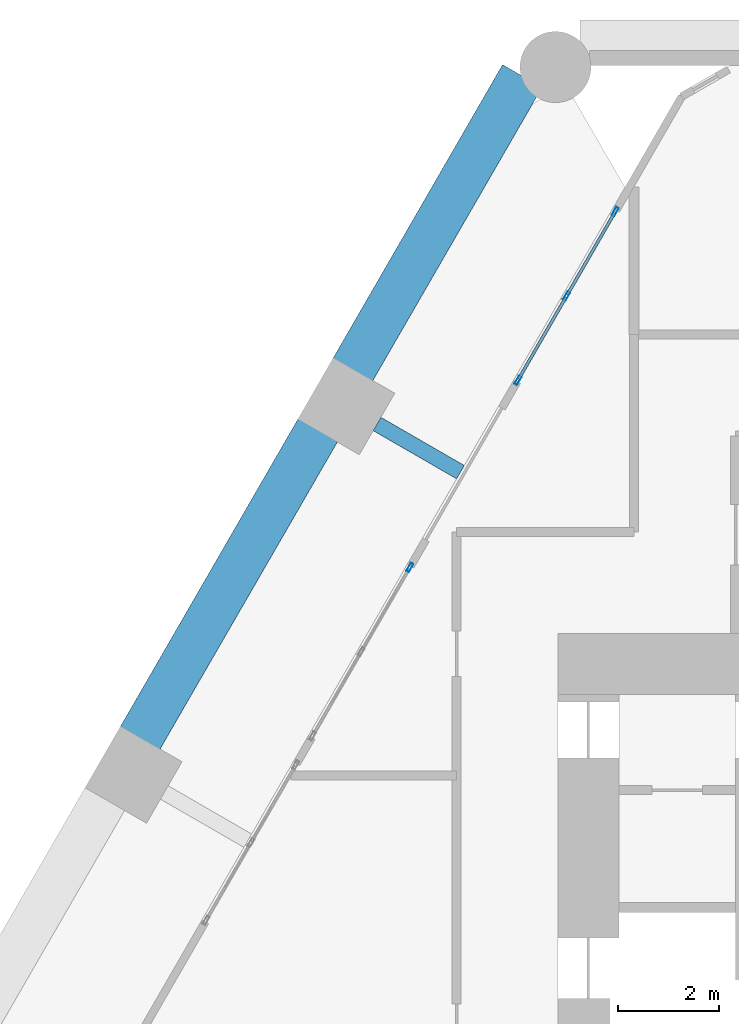
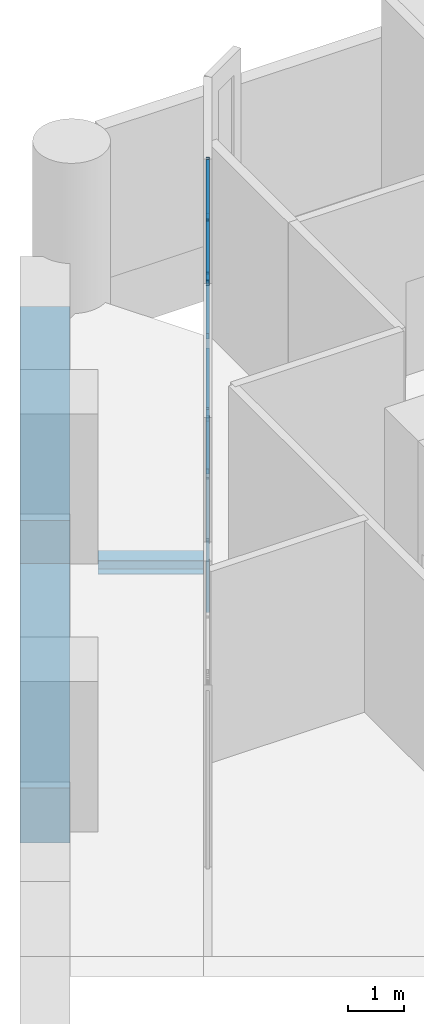
# One storey, part 9 of 18: 10 members, 3 beams, 2 elements without a shape of their own.
"""IFC4 building model written with IfcOpenShell, lengths in metres."""

from ifc_helpers import new_model, si_unit, direction, frame, origin, origin_2d, place, context, subcontext, project, spatial, rectangle, hollow_rectangle, i_section, extrude, material, material_profile, profile_set, type_object, element, aggregate, save


model = new_model("IFC4")

# Units and contexts
model_context = context("Model", 3, precision=1e-05, world=origin(), true_north=direction((0.0, 1.0)))
body_context = subcontext(model_context, "Body", "Model", "MODEL_VIEW")
ifc_project = project(units=[si_unit("LENGTHUNIT", "METRE"), si_unit("AREAUNIT", "SQUARE_METRE"), si_unit("VOLUMEUNIT", "CUBIC_METRE"), si_unit("PLANEANGLEUNIT", "RADIAN"), si_unit("MASSUNIT", "GRAM", prefix="KILO")], contexts=[model_context])

# Site, building, storey
site_placement = place(None, origin())
site = spatial("IfcSite", under=ifc_project, at=site_placement, CompositionType="ELEMENT")
building_placement = place(site_placement, origin())
building = spatial("IfcBuilding", under=site, at=building_placement, Name="Ostrander Bayou Hotel Tower", CompositionType="ELEMENT")
storey_placement = place(building_placement, frame((0.0, 0.0, 14.5)))
storey = spatial("IfcBuildingStorey", under=building, at=storey_placement, Name="L03", CompositionType="ELEMENT", Elevation=14.5)

# Curtain wall, members
ifc_material_1 = material(Name="Aluminium and clear glass", Category="aluminium")
curtain_wall_type = type_object("IfcCurtainWallType", Name="CW-SKY amenity glass wall", PredefinedType="NOTDEFINED", material=ifc_material_1)
curtain_wall_1_placement = place(storey_placement, origin())
curtain_wall_1 = element("IfcCurtainWall", 1, at=curtain_wall_1_placement, inside=storey, type_object=curtain_wall_type, Name="CW-SKY L03 NW 1", PredefinedType="NOTDEFINED")
ifc_material_2 = material(Name="Aluminium", Category="aluminium")
ifc_material_profile_1 = material_profile(ifc_material_2, hollow_rectangle(XDim=0.06005859375, YDim=0.179931640625, WallThickness=0.00390625, at=origin_2d()))
ifc_profile_set_1 = profile_set([ifc_material_profile_1], Name="Aluminium")
member_type_1 = type_object("IfcMemberType", Name="CW-SK mullion 60 x 180 mm", PredefinedType="MULLION", material=ifc_profile_set_1)
member_1_placement = place(storey_placement, frame((-10.87158203125, 18.02001953125, 0.0), z_axis=(0.0, 0.0, 1.0), x_axis=(0.866025463091, -0.499999897278, 0.0)))
member_1 = element("IfcMember", 2, at=member_1_placement, type_object=member_type_1, Name="CW-SKY mullion 1", PredefinedType="MULLION", context=body_context, shape_type="SweptSolid", body=[
    extrude(hollow_rectangle(XDim=0.06005859375, YDim=0.179931640625, WallThickness=0.00390625, at=origin_2d()), origin(), (0.0, 0.0, 1.0), 4.199951171875),
])
member_2_placement = place(storey_placement, frame((-11.83154296875, 16.357177734375, 0.0), z_axis=(0.0, 0.0, 1.0), x_axis=(0.866025463091, -0.499999897278, 0.0)))
member_2 = element("IfcMember", 3, at=member_2_placement, type_object=member_type_1, Name="CW-SKY mullion 2", PredefinedType="MULLION", context=body_context, shape_type="SweptSolid", body=[
    extrude(hollow_rectangle(XDim=0.06005859375, YDim=0.179931640625, WallThickness=0.00390625, at=origin_2d()), origin(), (0.0, 0.0, 1.0), 4.199951171875),
])
member_3_placement = place(storey_placement, frame((-12.79150390625, 14.694580078125, 0.0), z_axis=(0.0, 0.0, 1.0), x_axis=(0.866025463091, -0.499999897278, 0.0)))
member_3 = element("IfcMember", 4, at=member_3_placement, type_object=member_type_1, Name="CW-SKY mullion 3", PredefinedType="MULLION", context=body_context, shape_type="SweptSolid", body=[
    extrude(hollow_rectangle(XDim=0.06005859375, YDim=0.179931640625, WallThickness=0.00390625, at=origin_2d()), origin(), (0.0, 0.0, 1.0), 4.199951171875),
])

# Curtain wall, member
curtain_wall_2_placement = place(storey_placement, origin())
curtain_wall_2 = element("IfcCurtainWall", 5, at=curtain_wall_2_placement, inside=storey, type_object=curtain_wall_type, Name="CW-SKY L03 NW 3", PredefinedType="NOTDEFINED")
member_4_placement = place(storey_placement, frame((-14.92138671875, 11.005126953125, 0.0), z_axis=(0.0, 0.0, 1.0), x_axis=(0.866025463091, -0.499999897278, 0.0)))
member_4 = element("IfcMember", 6, at=member_4_placement, type_object=member_type_1, Name="CW-SKY mullion 1", PredefinedType="MULLION", context=body_context, shape_type="SweptSolid", body=[
    extrude(hollow_rectangle(XDim=0.06005859375, YDim=0.179931640625, WallThickness=0.00390625, at=origin_2d()), origin(), (0.0, 0.0, 1.0), 4.199951171875),
])
aggregate(curtain_wall_2, [member_4])

# Member
ifc_material_3 = material(Name="Aluminium", Category="aluminium")
ifc_material_profile_2 = material_profile(ifc_material_3, hollow_rectangle(XDim=0.06005859375, YDim=0.1201171875, WallThickness=0.00390625, at=origin_2d()))
ifc_profile_set_2 = profile_set([ifc_material_profile_2], Name="Aluminium")
member_type_2 = type_object("IfcMemberType", Name="CW-SK transom 60 x 120 mm", PredefinedType="USERDEFINED", material=ifc_profile_set_2)
member_5_placement = place(storey_placement, frame((-10.886474609375, 17.994140625, 0.030029296875), z_axis=(-0.499964847546, -0.866045698112, 0.0), x_axis=(0.866045698112, -0.499964847546, 0.0)))
member_5 = element("IfcMember", 7, at=member_5_placement, type_object=member_type_2, Name="CW-SKY transom 1.1", ObjectType="TRANSOM", PredefinedType="USERDEFINED", context=body_context, shape_type="SweptSolid", body=[
    extrude(hollow_rectangle(XDim=0.06005859375, YDim=0.1201171875, WallThickness=0.00390625, at=origin_2d()), origin(), (0.0, 0.0, 1.0), 1.860107421875),
])

member_6_placement = place(storey_placement, frame((-10.886474609375, 17.994140625, 3.0), z_axis=(-0.499964847546, -0.866045698112, 0.0), x_axis=(0.866045698112, -0.499964847546, 0.0)))
member_6 = element("IfcMember", 8, at=member_6_placement, type_object=member_type_2, Name="CW-SKY transom 1.2", ObjectType="TRANSOM", PredefinedType="USERDEFINED", context=body_context, shape_type="SweptSolid", body=[
    extrude(hollow_rectangle(XDim=0.06005859375, YDim=0.1201171875, WallThickness=0.00390625, at=origin_2d()), origin(), (0.0, 0.0, 1.0), 1.860107421875),
])

member_7_placement = place(storey_placement, frame((-10.886474609375, 17.994140625, 4.169921875), z_axis=(-0.499964847546, -0.866045698112, 0.0), x_axis=(0.866045698112, -0.499964847546, 0.0)))
member_7 = element("IfcMember", 9, at=member_7_placement, type_object=member_type_2, Name="CW-SKY transom 1.3", ObjectType="TRANSOM", PredefinedType="USERDEFINED", context=body_context, shape_type="SweptSolid", body=[
    extrude(hollow_rectangle(XDim=0.06005859375, YDim=0.1201171875, WallThickness=0.00390625, at=origin_2d()), origin(), (0.0, 0.0, 1.0), 1.860107421875),
])

member_8_placement = place(storey_placement, frame((-11.846435546875, 16.331298828125, 0.030029296875), z_axis=(-0.500063286585, -0.865988862174, 0.0), x_axis=(0.865988862174, -0.500063286585, 0.0)))
member_8 = element("IfcMember", 10, at=member_8_placement, type_object=member_type_2, Name="CW-SKY transom 2.1", ObjectType="TRANSOM", PredefinedType="USERDEFINED", context=body_context, shape_type="SweptSolid", body=[
    extrude(hollow_rectangle(XDim=0.06005859375, YDim=0.1201171875, WallThickness=0.00390625, at=origin_2d()), origin(), (0.0, 0.0, 1.0), 1.860107421875),
])

member_9_placement = place(storey_placement, frame((-11.846435546875, 16.331298828125, 3.0), z_axis=(-0.500063286585, -0.865988862174, 0.0), x_axis=(0.865988862174, -0.500063286585, 0.0)))
member_9 = element("IfcMember", 11, at=member_9_placement, type_object=member_type_2, Name="CW-SKY transom 2.2", ObjectType="TRANSOM", PredefinedType="USERDEFINED", context=body_context, shape_type="SweptSolid", body=[
    extrude(hollow_rectangle(XDim=0.06005859375, YDim=0.1201171875, WallThickness=0.00390625, at=origin_2d()), origin(), (0.0, 0.0, 1.0), 1.860107421875),
])

member_10_placement = place(storey_placement, frame((-11.846435546875, 16.331298828125, 4.169921875), z_axis=(-0.500063286585, -0.865988862174, 0.0), x_axis=(0.865988862174, -0.500063286585, 0.0)))
member_10 = element("IfcMember", 12, at=member_10_placement, type_object=member_type_2, Name="CW-SKY transom 2.3", ObjectType="TRANSOM", PredefinedType="USERDEFINED", context=body_context, shape_type="SweptSolid", body=[
    extrude(hollow_rectangle(XDim=0.06005859375, YDim=0.1201171875, WallThickness=0.00390625, at=origin_2d()), origin(), (0.0, 0.0, 1.0), 1.860107421875),
])

aggregate(curtain_wall_1, [member_1, member_2, member_3, member_5, member_6, member_7, member_8, member_9, member_10])

# Beams
ifc_material_4 = material(Name="Steel ASTM A992", Category="steel")
ifc_material_profile_3 = material_profile(ifc_material_4, i_section(OverallWidth=0.3046875, OverallDepth=0.307861328125, WebThickness=0.010009765625, FlangeThickness=0.015380859375, at=origin_2d()))
ifc_profile_set_3 = profile_set([ifc_material_profile_3], Name="Steel ASTM A992")
beam_type_1 = type_object("IfcBeamType", Name="LB1 loggia bracket W12x65", PredefinedType="BEAM", material=ifc_profile_set_3)
beam_1_placement = place(storey_placement, frame((-15.569091796875, 13.833251953125, -0.453857421875), z_axis=(0.86601224135, -0.500022797313, 0.0), x_axis=(0.500022797313, 0.86601224135, 0.0)))
element("IfcBeam", 13, at=beam_1_placement, inside=storey, type_object=beam_type_1, Name="LB1 L03 NW1", PredefinedType="BEAM", context=body_context, shape_type="SweptSolid", body=[
    extrude(i_section(OverallWidth=0.3046875, OverallDepth=0.307861328125, WebThickness=0.010009765625, FlangeThickness=0.015380859375, at=origin_2d()), origin(), (0.0, 0.0, 1.0), 1.89990234375),
])
ifc_material_5 = material(Name="Concrete f'c 70 MPa", Category="concrete")
ifc_material_profile_4 = material_profile(ifc_material_5, rectangle(XDim=0.89990234375, YDim=1.199951171875, at=origin_2d()))
ifc_profile_set_4 = profile_set([ifc_material_profile_4], Name="Concrete f'c 70 MPa")
beam_type_2 = type_object("IfcBeamType", Name="SP1 spandrel beam 900 x 1200 mm f'c 70 MPa", PredefinedType="SPANDREL", material=ifc_profile_set_4)
beam_2_placement = place(storey_placement, frame((-12.705078125, 20.694091796875, -0.60009765625), z_axis=(-0.500005133765, -0.866022439784, 0.0), x_axis=(0.866022439784, -0.500005133765, 0.0)))
element("IfcBeam", 14, at=beam_2_placement, inside=storey, type_object=beam_type_2, Name="SP1 L03 NW-1", PredefinedType="SPANDREL", context=body_context, shape_type="SweptSolid", body=[
    extrude(rectangle(XDim=0.89990234375, YDim=1.199951171875, at=origin_2d()), origin(), (0.0, 0.0, 1.0), 6.70361328125),
])
beam_3_placement = place(storey_placement, frame((-16.726806640625, 13.72802734375, -0.60009765625), z_axis=(-0.499997206141, -0.866027016814, 0.0), x_axis=(0.866027016814, -0.499997206141, 0.0)))
element("IfcBeam", 15, at=beam_3_placement, inside=storey, type_object=beam_type_2, Name="SP1 L03 NW-2", PredefinedType="SPANDREL", context=body_context, shape_type="SweptSolid", body=[
    extrude(rectangle(XDim=0.89990234375, YDim=1.199951171875, at=origin_2d()), origin(), (0.0, 0.0, 1.0), 7.05078125),
])

save(model, "model.ifc")
